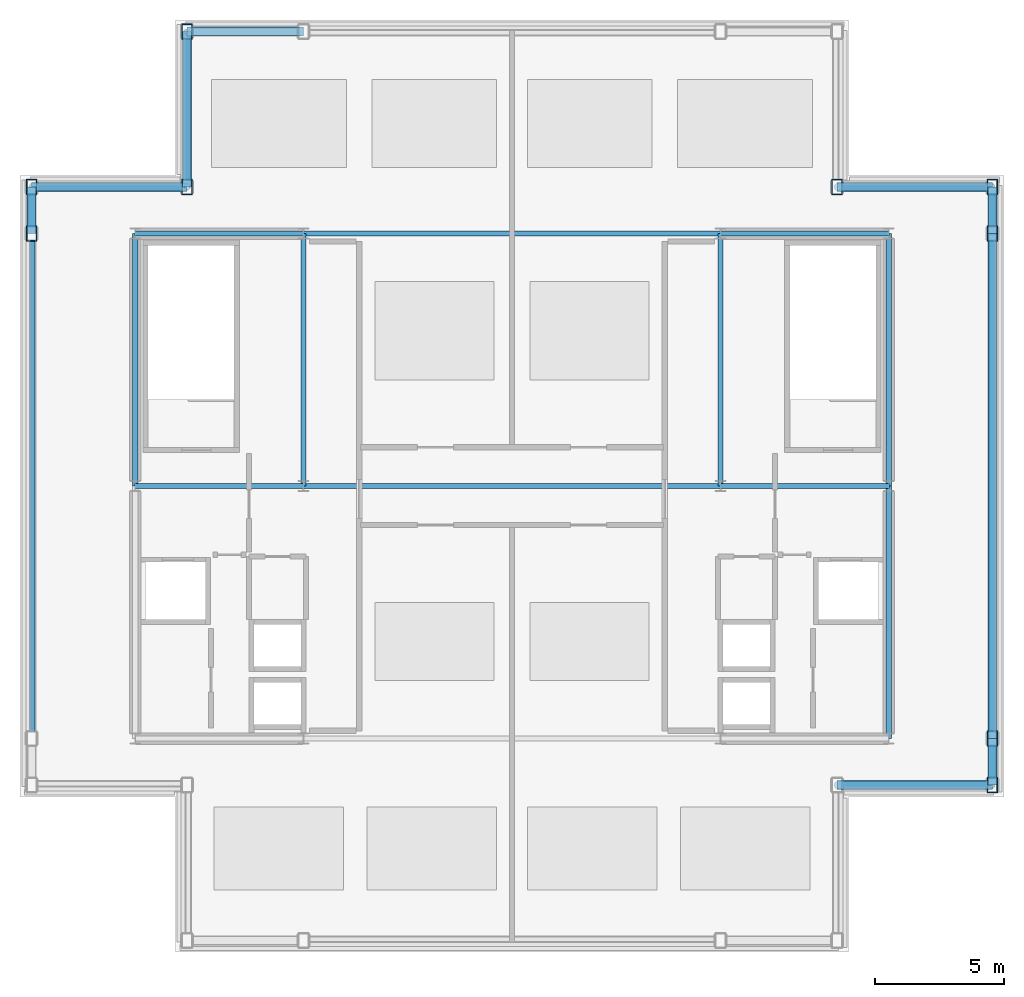
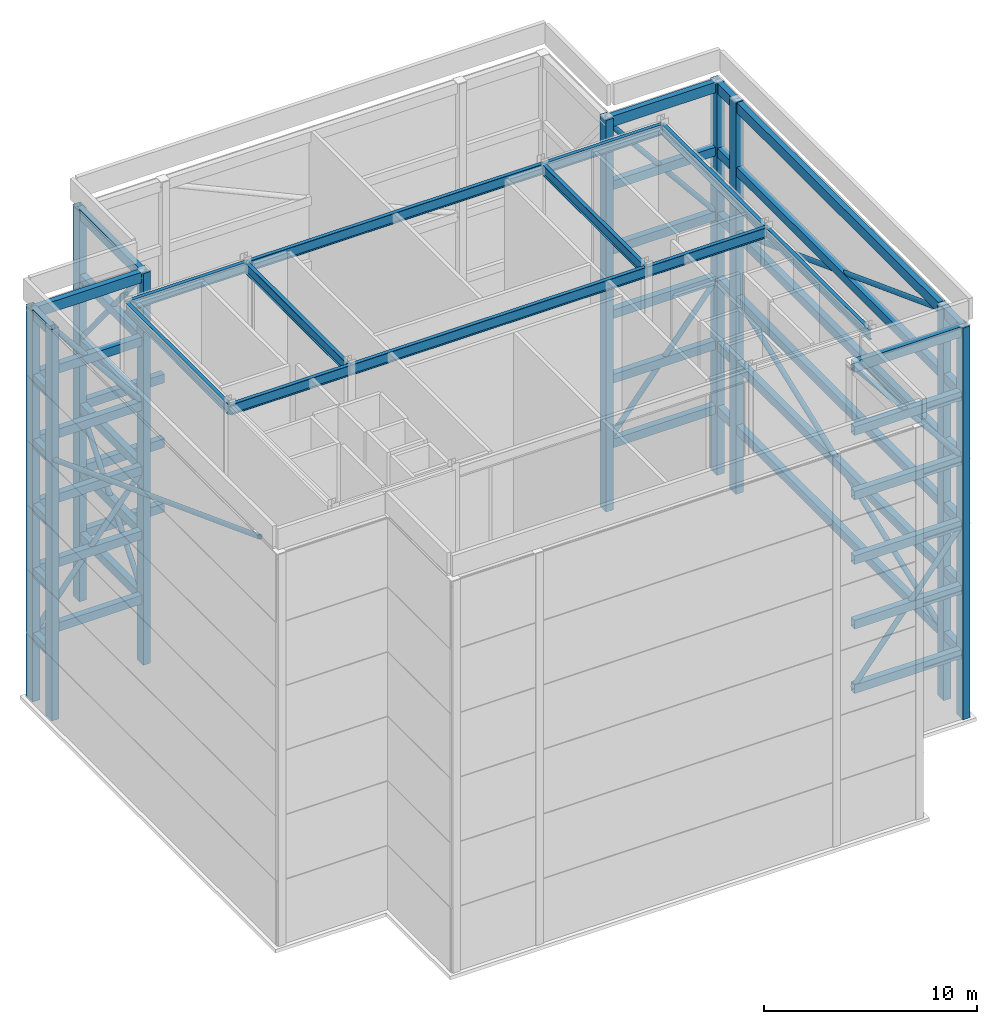
# One storey, part 2 of 8: 62 beams, 20 members.
"""IFC4 building model written with IfcOpenShell, lengths in metres."""

from ifc_helpers import new_model, si_unit, direction, frame, origin, origin_2d, place, context, subcontext, project, spatial, hollow_rectangle, hollow_circle, i_section, extrude, material, material_profile, profile_set, type_object, element, save


model = new_model("IFC4")

# Units and contexts
model_context = context("Model", 3, precision=1e-05, world=origin(), true_north=direction((0.0, 1.0)))
body_context = subcontext(model_context, "Body", "Model", "MODEL_VIEW")
ifc_project = project(units=[si_unit("LENGTHUNIT", "METRE"), si_unit("AREAUNIT", "SQUARE_METRE"), si_unit("VOLUMEUNIT", "CUBIC_METRE"), si_unit("PLANEANGLEUNIT", "RADIAN"), si_unit("MASSUNIT", "GRAM", prefix="KILO")], contexts=[model_context])

# Site, building, storey
site_placement = place(None, origin())
site = spatial("IfcSite", under=ifc_project, at=site_placement, CompositionType="ELEMENT")
building_placement = place(site_placement, origin())
building = spatial("IfcBuilding", under=site, at=building_placement, Name="Brelmoor Portico Tower", CompositionType="ELEMENT")
storey_placement = place(building_placement, frame((0.0, 0.0, 289.199951171875)))
storey = spatial("IfcBuildingStorey", under=building, at=storey_placement, Name="L76", CompositionType="ELEMENT", Elevation=289.199951171875)

# Beams
ifc_material = material(Name="Steel Q355B", Category="steel")
ifc_material_profile_1 = material_profile(ifc_material, i_section(OverallWidth=0.199951171875, OverallDepth=0.60009765625, WebThickness=0.010986328125, FlangeThickness=0.01708984375, at=origin_2d()), Name="HN 600x200x11x17")
ifc_profile_set_1 = profile_set([ifc_material_profile_1], Name="Steel Q355B")
beam_type_1 = type_object("IfcBeamType", Name="BM-PG-600", PredefinedType="BEAM", material=ifc_profile_set_1)
for number, where, z_axis, x_axis, name in (
    (1, (-14.550048828125, 0.0, 22.150146484375), (0.0, 1.0, 0.0), (-1.0, 0.0, 0.0), "L76 Primary Floor Girder PG-02"),
    (2, (-8.050048828125, 0.0, 22.150146484375), (0.0, 1.0, 0.0), (-1.0, 0.0, 0.0), "L76 Primary Floor Girder PG-03"),
    (3, (8.050048828125, 0.0, 22.150146484375), (0.0, 1.0, 0.0), (-1.0, 0.0, 0.0), "L76 Primary Floor Girder PG-04"),
    (4, (14.550048828125, -9.75, 22.150146484375), (0.0, 1.0, 0.0), (-1.0, 0.0, 0.0), "L76 Primary Floor Girder PG-05"),
    (5, (14.550048828125, 0.0, 22.150146484375), (0.0, 1.0, 0.0), (-1.0, 0.0, 0.0), "L76 Primary Floor Girder PG-06"),
):
    element("IfcBeam", number, at=place(storey_placement, frame(where, z_axis=z_axis, x_axis=x_axis)), inside=storey, type_object=beam_type_1, Name=name, PredefinedType="BEAM", context=body_context, shape_type="SweptSolid", body=[
        extrude(i_section(OverallWidth=0.199951171875, OverallDepth=0.60009765625, WebThickness=0.010986328125, FlangeThickness=0.01708984375, at=origin_2d()), origin(), (0.0, 0.0, 1.0), 9.75),
    ])
beam_1_placement = place(storey_placement, frame((-14.550048828125, 0.0, 22.150146484375), z_axis=(1.0, 0.0, 0.0), x_axis=(0.0, 1.0, 0.0)))
element("IfcBeam", 6, at=beam_1_placement, inside=storey, type_object=beam_type_1, Name="L76 Primary Floor Girder PG-10", PredefinedType="BEAM", context=body_context, shape_type="SweptSolid", body=[
    extrude(i_section(OverallWidth=0.199951171875, OverallDepth=0.60009765625, WebThickness=0.010986328125, FlangeThickness=0.01708984375, at=origin_2d()), origin(), (0.0, 0.0, 1.0), 6.5),
])
beam_2_placement = place(storey_placement, frame((-8.050048828125, 0.0, 22.150146484375), z_axis=(1.0, 0.0, 0.0), x_axis=(0.0, 1.0, 0.0)))
element("IfcBeam", 7, at=beam_2_placement, inside=storey, type_object=beam_type_1, Name="L76 Primary Floor Girder PG-11", PredefinedType="BEAM", context=body_context, shape_type="SweptSolid", body=[
    extrude(i_section(OverallWidth=0.199951171875, OverallDepth=0.60009765625, WebThickness=0.010986328125, FlangeThickness=0.01708984375, at=origin_2d()), origin(), (0.0, 0.0, 1.0), 16.10009765625),
])
for number, where, z_axis, x_axis, name in (
    (8, (8.050048828125, 0.0, 22.150146484375), (1.0, 0.0, 0.0), (0.0, 1.0, 0.0), "L76 Primary Floor Girder PG-12"),
    (9, (-14.550048828125, 9.75, 22.150146484375), (1.0, 0.0, 0.0), (0.0, 1.0, 0.0), "L76 Primary Floor Girder PG-13"),
):
    element("IfcBeam", number, at=place(storey_placement, frame(where, z_axis=z_axis, x_axis=x_axis)), inside=storey, type_object=beam_type_1, Name=name, PredefinedType="BEAM", context=body_context, shape_type="SweptSolid", body=[
        extrude(i_section(OverallWidth=0.199951171875, OverallDepth=0.60009765625, WebThickness=0.010986328125, FlangeThickness=0.01708984375, at=origin_2d()), origin(), (0.0, 0.0, 1.0), 6.5),
    ])
beam_3_placement = place(storey_placement, frame((-8.050048828125, 9.75, 22.150146484375), z_axis=(1.0, 0.0, 0.0), x_axis=(0.0, 1.0, 0.0)))
element("IfcBeam", 10, at=beam_3_placement, inside=storey, type_object=beam_type_1, Name="L76 Primary Floor Girder PG-14", PredefinedType="BEAM", context=body_context, shape_type="SweptSolid", body=[
    extrude(i_section(OverallWidth=0.199951171875, OverallDepth=0.60009765625, WebThickness=0.010986328125, FlangeThickness=0.01708984375, at=origin_2d()), origin(), (0.0, 0.0, 1.0), 16.10009765625),
])
beam_4_placement = place(storey_placement, frame((8.050048828125, 9.75, 22.150146484375), z_axis=(1.0, 0.0, 0.0), x_axis=(0.0, 1.0, 0.0)))
element("IfcBeam", 11, at=beam_4_placement, inside=storey, type_object=beam_type_1, Name="L76 Primary Floor Girder PG-15", PredefinedType="BEAM", context=body_context, shape_type="SweptSolid", body=[
    extrude(i_section(OverallWidth=0.199951171875, OverallDepth=0.60009765625, WebThickness=0.010986328125, FlangeThickness=0.01708984375, at=origin_2d()), origin(), (0.0, 0.0, 1.0), 6.5),
])

# Members
ifc_material_profile_2 = material_profile(ifc_material, hollow_circle(Radius=0.136474609375, WallThickness=0.011962890625, at=origin_2d()), Name="CHS 273x12")
ifc_profile_set_2 = profile_set([ifc_material_profile_2], Name="Steel Q355B")
member_type_1 = type_object("IfcMemberType", Name="CROWN FRAME BRACE", PredefinedType="BRACE", material=ifc_profile_set_2)
member_1_placement = place(storey_placement, frame((12.550048828125, -11.550048828125, 3.699951171875), z_axis=(0.629794436495, 0.0, 0.776761847518), x_axis=(0.0, 1.0, 0.0)))
element("IfcMember", 12, at=member_1_placement, inside=storey, type_object=member_type_1, Name="CROWN FRAME Wind Brace 03A", PredefinedType="BRACE", context=body_context, shape_type="SweptSolid", body=[
    extrude(hollow_circle(Radius=0.136474609375, WallThickness=0.011962890625, at=origin_2d()), origin(), (0.0, 0.0, 1.0), 9.52685546875),
])
member_2_placement = place(storey_placement, frame((18.550048828125, -11.550048828125, 14.800048828125), z_axis=(-0.632371447832, 0.0, 0.774665316099), x_axis=(0.0, -1.0, 0.0)))
element("IfcMember", 13, at=member_2_placement, inside=storey, type_object=member_type_1, Name="CROWN FRAME Wind Brace 03B", PredefinedType="BRACE", context=body_context, shape_type="SweptSolid", body=[
    extrude(hollow_circle(Radius=0.136474609375, WallThickness=0.011962890625, at=origin_2d()), origin(), (0.0, 0.0, 1.0), 9.488037109375),
])
member_3_placement = place(storey_placement, frame((-18.550048828125, 11.550048828125, 3.699951171875), z_axis=(0.629794436495, 0.0, 0.776761847518), x_axis=(0.0, 1.0, 0.0)))
element("IfcMember", 14, at=member_3_placement, inside=storey, type_object=member_type_1, Name="CROWN FRAME Wind Brace 04A", PredefinedType="BRACE", context=body_context, shape_type="SweptSolid", body=[
    extrude(hollow_circle(Radius=0.136474609375, WallThickness=0.011962890625, at=origin_2d()), origin(), (0.0, 0.0, 1.0), 9.52685546875),
])
member_4_placement = place(storey_placement, frame((-12.550048828125, 11.550048828125, 14.800048828125), z_axis=(-0.632371447832, 0.0, 0.774665316099), x_axis=(0.0, -1.0, 0.0)))
element("IfcMember", 15, at=member_4_placement, inside=storey, type_object=member_type_1, Name="CROWN FRAME Wind Brace 04B", PredefinedType="BRACE", context=body_context, shape_type="SweptSolid", body=[
    extrude(hollow_circle(Radius=0.136474609375, WallThickness=0.011962890625, at=origin_2d()), origin(), (0.0, 0.0, 1.0), 9.488037109375),
])
member_5_placement = place(storey_placement, frame((12.550048828125, 11.550048828125, 3.699951171875), z_axis=(0.629794436495, 0.0, 0.776761847518), x_axis=(0.0, 1.0, 0.0)))
element("IfcMember", 16, at=member_5_placement, inside=storey, type_object=member_type_1, Name="CROWN FRAME Wind Brace 05A", PredefinedType="BRACE", context=body_context, shape_type="SweptSolid", body=[
    extrude(hollow_circle(Radius=0.136474609375, WallThickness=0.011962890625, at=origin_2d()), origin(), (0.0, 0.0, 1.0), 9.52685546875),
])
member_6_placement = place(storey_placement, frame((18.550048828125, 11.550048828125, 14.800048828125), z_axis=(-0.632371447832, 0.0, 0.774665316099), x_axis=(0.0, -1.0, 0.0)))
element("IfcMember", 17, at=member_6_placement, inside=storey, type_object=member_type_1, Name="CROWN FRAME Wind Brace 05B", PredefinedType="BRACE", context=body_context, shape_type="SweptSolid", body=[
    extrude(hollow_circle(Radius=0.136474609375, WallThickness=0.011962890625, at=origin_2d()), origin(), (0.0, 0.0, 1.0), 9.488037109375),
])
member_7_placement = place(storey_placement, frame((-18.550048828125, 9.75, 14.800048828125), z_axis=(0.0, -0.935734687808, 0.352704683883), x_axis=(1.0, 0.0, 0.0)))
element("IfcMember", 18, at=member_7_placement, inside=storey, type_object=member_type_1, Name="CROWN FRAME Wind Brace 07B", PredefinedType="BRACE", context=body_context, shape_type="SweptSolid", body=[
    extrude(hollow_circle(Radius=0.136474609375, WallThickness=0.011962890625, at=origin_2d()), origin(), (0.0, 0.0, 1.0), 20.83935546875),
])
member_8_placement = place(storey_placement, frame((-12.550048828125, 11.550048828125, 3.699951171875), z_axis=(0.0, 0.629794436495, 0.776761847518), x_axis=(-1.0, 0.0, 0.0)))
element("IfcMember", 19, at=member_8_placement, inside=storey, type_object=member_type_1, Name="CROWN FRAME Wind Brace 09A", PredefinedType="BRACE", context=body_context, shape_type="SweptSolid", body=[
    extrude(hollow_circle(Radius=0.136474609375, WallThickness=0.011962890625, at=origin_2d()), origin(), (0.0, 0.0, 1.0), 9.52685546875),
])
member_9_placement = place(storey_placement, frame((-12.550048828125, 17.550048828125, 14.800048828125), z_axis=(0.0, -0.632371447832, 0.774665316099), x_axis=(1.0, 0.0, 0.0)))
element("IfcMember", 20, at=member_9_placement, inside=storey, type_object=member_type_1, Name="CROWN FRAME Wind Brace 09B", PredefinedType="BRACE", context=body_context, shape_type="SweptSolid", body=[
    extrude(hollow_circle(Radius=0.136474609375, WallThickness=0.011962890625, at=origin_2d()), origin(), (0.0, 0.0, 1.0), 9.488037109375),
])
member_10_placement = place(storey_placement, frame((18.550048828125, -9.75, 3.699951171875), z_axis=(0.0, 0.934940361729, 0.354804904151), x_axis=(-1.0, 0.0, 0.0)))
element("IfcMember", 21, at=member_10_placement, inside=storey, type_object=member_type_1, Name="CROWN FRAME Wind Brace 12A", PredefinedType="BRACE", context=body_context, shape_type="SweptSolid", body=[
    extrude(hollow_circle(Radius=0.136474609375, WallThickness=0.011962890625, at=origin_2d()), origin(), (0.0, 0.0, 1.0), 20.85693359375),
])
member_11_placement = place(storey_placement, frame((18.550048828125, 9.75, 14.800048828125), z_axis=(0.0, -0.935734687808, 0.352704683883), x_axis=(1.0, 0.0, 0.0)))
element("IfcMember", 22, at=member_11_placement, inside=storey, type_object=member_type_1, Name="CROWN FRAME Wind Brace 12B", PredefinedType="BRACE", context=body_context, shape_type="SweptSolid", body=[
    extrude(hollow_circle(Radius=0.136474609375, WallThickness=0.011962890625, at=origin_2d()), origin(), (0.0, 0.0, 1.0), 20.83935546875),
])
ifc_material_profile_3 = material_profile(ifc_material, hollow_rectangle(XDim=0.39990234375, YDim=0.60009765625, WallThickness=0.02392578125, at=origin_2d()), Name="RHS 400x600x24")
ifc_profile_set_3 = profile_set([ifc_material_profile_3], Name="Steel Q355B")
member_type_2 = type_object("IfcMemberType", Name="CROWN FRAME POST", PredefinedType="POST", material=ifc_profile_set_3)
for number, where, z_axis, x_axis, name in (
    (23, (-12.550048828125, 17.550048828125, 0.0), (0.0, 0.0, 1.0), (1.0, 0.0, 0.0), "CROWN FRAME Vertical Post PN01"),
    (24, (-18.550048828125, 9.75, 0.0), (0.0, 0.0, 1.0), (1.0, 0.0, 0.0), "CROWN FRAME Vertical Post PW03"),
    (25, (-18.550048828125, 11.550048828125, 0.0), (0.0, 0.0, 1.0), (1.0, 0.0, 0.0), "CROWN FRAME Vertical Post PW04"),
    (26, (18.550048828125, -11.550048828125, 0.0), (0.0, 0.0, 1.0), (1.0, 0.0, 0.0), "CROWN FRAME Vertical Post PE01"),
    (27, (18.550048828125, -9.75, 0.0), (0.0, 0.0, 1.0), (1.0, 0.0, 0.0), "CROWN FRAME Vertical Post PE02"),
    (28, (18.550048828125, 9.75, 0.0), (0.0, 0.0, 1.0), (1.0, 0.0, 0.0), "CROWN FRAME Vertical Post PE03"),
    (29, (18.550048828125, 11.550048828125, 0.0), (0.0, 0.0, 1.0), (1.0, 0.0, 0.0), "CROWN FRAME Vertical Post PE04"),
    (30, (-12.550048828125, 11.550048828125, 0.0), (0.0, 0.0, 1.0), (1.0, 0.0, 0.0), "CROWN FRAME Vertical Post PC-NW"),
    (31, (12.550048828125, 11.550048828125, 0.0), (0.0, 0.0, 1.0), (1.0, 0.0, 0.0), "CROWN FRAME Vertical Post PC-NE"),
):
    element("IfcMember", number, at=place(storey_placement, frame(where, z_axis=z_axis, x_axis=x_axis)), inside=storey, type_object=member_type_2, Name=name, PredefinedType="POST", context=body_context, shape_type="SweptSolid", body=[
        extrude(hollow_rectangle(XDim=0.39990234375, YDim=0.60009765625, WallThickness=0.02392578125, at=origin_2d()), origin(), (0.0, 0.0, 1.0), 22.449951171875),
    ])

# Beams
ifc_material_profile_4 = material_profile(ifc_material, hollow_rectangle(XDim=0.35009765625, YDim=0.5, WallThickness=0.02001953125, at=origin_2d()), Name="RHS 350x500x20")
ifc_profile_set_4 = profile_set([ifc_material_profile_4], Name="Steel Q355B")
beam_type_2 = type_object("IfcBeamType", Name="CROWN FRAME RING", PredefinedType="SPANDREL", material=ifc_profile_set_4)
for number, where, z_axis, x_axis, name in (
    (32, (12.550048828125, -11.550048828125, 3.699951171875), (1.0, 0.0, 0.0), (0.0, 1.0, 0.0), "CROWN FRAME Ring Beam Tier 1-05"),
    (33, (-18.550048828125, 11.550048828125, 3.699951171875), (1.0, 0.0, 0.0), (0.0, 1.0, 0.0), "CROWN FRAME Ring Beam Tier 1-06"),
    (34, (12.550048828125, 11.550048828125, 3.699951171875), (1.0, 0.0, 0.0), (0.0, 1.0, 0.0), "CROWN FRAME Ring Beam Tier 1-07"),
):
    element("IfcBeam", number, at=place(storey_placement, frame(where, z_axis=z_axis, x_axis=x_axis)), inside=storey, type_object=beam_type_2, Name=name, PredefinedType="SPANDREL", context=body_context, shape_type="SweptSolid", body=[
        extrude(hollow_rectangle(XDim=0.35009765625, YDim=0.5, WallThickness=0.02001953125, at=origin_2d()), origin(), (0.0, 0.0, 1.0), 6.0),
    ])
beam_5_placement = place(storey_placement, frame((-12.550048828125, 17.550048828125, 3.699951171875), z_axis=(1.0, 0.0, 0.0), x_axis=(0.0, 1.0, 0.0)))
element("IfcBeam", 35, at=beam_5_placement, inside=storey, type_object=beam_type_2, Name="CROWN FRAME Ring Beam Tier 1-08", PredefinedType="SPANDREL", context=body_context, shape_type="SweptSolid", body=[
    extrude(hollow_rectangle(XDim=0.35009765625, YDim=0.5, WallThickness=0.02001953125, at=origin_2d()), origin(), (0.0, 0.0, 1.0), 4.5),
])
beam_6_placement = place(storey_placement, frame((-18.550048828125, 9.75, 3.699951171875), z_axis=(0.0, 1.0, 0.0), x_axis=(-1.0, 0.0, 0.0)))
element("IfcBeam", 36, at=beam_6_placement, inside=storey, type_object=beam_type_2, Name="CROWN FRAME Ring Beam Tier 1-13", PredefinedType="SPANDREL", context=body_context, shape_type="SweptSolid", body=[
    extrude(hollow_rectangle(XDim=0.35009765625, YDim=0.5, WallThickness=0.02001953125, at=origin_2d()), origin(), (0.0, 0.0, 1.0), 1.800048828125),
])
beam_7_placement = place(storey_placement, frame((-12.550048828125, 11.550048828125, 3.699951171875), z_axis=(0.0, 1.0, 0.0), x_axis=(-1.0, 0.0, 0.0)))
element("IfcBeam", 37, at=beam_7_placement, inside=storey, type_object=beam_type_2, Name="CROWN FRAME Ring Beam Tier 1-15", PredefinedType="SPANDREL", context=body_context, shape_type="SweptSolid", body=[
    extrude(hollow_rectangle(XDim=0.35009765625, YDim=0.5, WallThickness=0.02001953125, at=origin_2d()), origin(), (0.0, 0.0, 1.0), 6.0),
])
beam_8_placement = place(storey_placement, frame((18.550048828125, -11.550048828125, 3.699951171875), z_axis=(0.0, 1.0, 0.0), x_axis=(-1.0, 0.0, 0.0)))
element("IfcBeam", 38, at=beam_8_placement, inside=storey, type_object=beam_type_2, Name="CROWN FRAME Ring Beam Tier 1-18", PredefinedType="SPANDREL", context=body_context, shape_type="SweptSolid", body=[
    extrude(hollow_rectangle(XDim=0.35009765625, YDim=0.5, WallThickness=0.02001953125, at=origin_2d()), origin(), (0.0, 0.0, 1.0), 1.800048828125),
])
beam_9_placement = place(storey_placement, frame((18.550048828125, -9.75, 3.699951171875), z_axis=(0.0, 1.0, 0.0), x_axis=(-1.0, 0.0, 0.0)))
element("IfcBeam", 39, at=beam_9_placement, inside=storey, type_object=beam_type_2, Name="CROWN FRAME Ring Beam Tier 1-19", PredefinedType="SPANDREL", context=body_context, shape_type="SweptSolid", body=[
    extrude(hollow_rectangle(XDim=0.35009765625, YDim=0.5, WallThickness=0.02001953125, at=origin_2d()), origin(), (0.0, 0.0, 1.0), 19.5),
])
beam_10_placement = place(storey_placement, frame((18.550048828125, 9.75, 3.699951171875), z_axis=(0.0, 1.0, 0.0), x_axis=(-1.0, 0.0, 0.0)))
element("IfcBeam", 40, at=beam_10_placement, inside=storey, type_object=beam_type_2, Name="CROWN FRAME Ring Beam Tier 1-20", PredefinedType="SPANDREL", context=body_context, shape_type="SweptSolid", body=[
    extrude(hollow_rectangle(XDim=0.35009765625, YDim=0.5, WallThickness=0.02001953125, at=origin_2d()), origin(), (0.0, 0.0, 1.0), 1.800048828125),
])
for number, where, z_axis, x_axis, name in (
    (41, (12.550048828125, -11.550048828125, 7.400146484375), (1.0, 0.0, 0.0), (0.0, 1.0, 0.0), "CROWN FRAME Ring Beam Tier 2-05"),
    (42, (-18.550048828125, 11.550048828125, 7.400146484375), (1.0, 0.0, 0.0), (0.0, 1.0, 0.0), "CROWN FRAME Ring Beam Tier 2-06"),
    (43, (12.550048828125, 11.550048828125, 7.400146484375), (1.0, 0.0, 0.0), (0.0, 1.0, 0.0), "CROWN FRAME Ring Beam Tier 2-07"),
):
    element("IfcBeam", number, at=place(storey_placement, frame(where, z_axis=z_axis, x_axis=x_axis)), inside=storey, type_object=beam_type_2, Name=name, PredefinedType="SPANDREL", context=body_context, shape_type="SweptSolid", body=[
        extrude(hollow_rectangle(XDim=0.35009765625, YDim=0.5, WallThickness=0.02001953125, at=origin_2d()), origin(), (0.0, 0.0, 1.0), 6.0),
    ])
beam_11_placement = place(storey_placement, frame((-12.550048828125, 17.550048828125, 7.400146484375), z_axis=(1.0, 0.0, 0.0), x_axis=(0.0, 1.0, 0.0)))
element("IfcBeam", 44, at=beam_11_placement, inside=storey, type_object=beam_type_2, Name="CROWN FRAME Ring Beam Tier 2-08", PredefinedType="SPANDREL", context=body_context, shape_type="SweptSolid", body=[
    extrude(hollow_rectangle(XDim=0.35009765625, YDim=0.5, WallThickness=0.02001953125, at=origin_2d()), origin(), (0.0, 0.0, 1.0), 4.5),
])
beam_12_placement = place(storey_placement, frame((-18.550048828125, 9.75, 7.400146484375), z_axis=(0.0, 1.0, 0.0), x_axis=(-1.0, 0.0, 0.0)))
element("IfcBeam", 45, at=beam_12_placement, inside=storey, type_object=beam_type_2, Name="CROWN FRAME Ring Beam Tier 2-13", PredefinedType="SPANDREL", context=body_context, shape_type="SweptSolid", body=[
    extrude(hollow_rectangle(XDim=0.35009765625, YDim=0.5, WallThickness=0.02001953125, at=origin_2d()), origin(), (0.0, 0.0, 1.0), 1.800048828125),
])
beam_13_placement = place(storey_placement, frame((-12.550048828125, 11.550048828125, 7.400146484375), z_axis=(0.0, 1.0, 0.0), x_axis=(-1.0, 0.0, 0.0)))
element("IfcBeam", 46, at=beam_13_placement, inside=storey, type_object=beam_type_2, Name="CROWN FRAME Ring Beam Tier 2-15", PredefinedType="SPANDREL", context=body_context, shape_type="SweptSolid", body=[
    extrude(hollow_rectangle(XDim=0.35009765625, YDim=0.5, WallThickness=0.02001953125, at=origin_2d()), origin(), (0.0, 0.0, 1.0), 6.0),
])
beam_14_placement = place(storey_placement, frame((18.550048828125, -11.550048828125, 7.400146484375), z_axis=(0.0, 1.0, 0.0), x_axis=(-1.0, 0.0, 0.0)))
element("IfcBeam", 47, at=beam_14_placement, inside=storey, type_object=beam_type_2, Name="CROWN FRAME Ring Beam Tier 2-18", PredefinedType="SPANDREL", context=body_context, shape_type="SweptSolid", body=[
    extrude(hollow_rectangle(XDim=0.35009765625, YDim=0.5, WallThickness=0.02001953125, at=origin_2d()), origin(), (0.0, 0.0, 1.0), 1.800048828125),
])
beam_15_placement = place(storey_placement, frame((18.550048828125, -9.75, 7.400146484375), z_axis=(0.0, 1.0, 0.0), x_axis=(-1.0, 0.0, 0.0)))
element("IfcBeam", 48, at=beam_15_placement, inside=storey, type_object=beam_type_2, Name="CROWN FRAME Ring Beam Tier 2-19", PredefinedType="SPANDREL", context=body_context, shape_type="SweptSolid", body=[
    extrude(hollow_rectangle(XDim=0.35009765625, YDim=0.5, WallThickness=0.02001953125, at=origin_2d()), origin(), (0.0, 0.0, 1.0), 19.5),
])
beam_16_placement = place(storey_placement, frame((18.550048828125, 9.75, 7.400146484375), z_axis=(0.0, 1.0, 0.0), x_axis=(-1.0, 0.0, 0.0)))
element("IfcBeam", 49, at=beam_16_placement, inside=storey, type_object=beam_type_2, Name="CROWN FRAME Ring Beam Tier 2-20", PredefinedType="SPANDREL", context=body_context, shape_type="SweptSolid", body=[
    extrude(hollow_rectangle(XDim=0.35009765625, YDim=0.5, WallThickness=0.02001953125, at=origin_2d()), origin(), (0.0, 0.0, 1.0), 1.800048828125),
])
for number, where, z_axis, x_axis, name in (
    (50, (12.550048828125, -11.550048828125, 11.10009765625), (1.0, 0.0, 0.0), (0.0, 1.0, 0.0), "CROWN FRAME Ring Beam Tier 3-05"),
    (51, (-18.550048828125, 11.550048828125, 11.10009765625), (1.0, 0.0, 0.0), (0.0, 1.0, 0.0), "CROWN FRAME Ring Beam Tier 3-06"),
    (52, (12.550048828125, 11.550048828125, 11.10009765625), (1.0, 0.0, 0.0), (0.0, 1.0, 0.0), "CROWN FRAME Ring Beam Tier 3-07"),
):
    element("IfcBeam", number, at=place(storey_placement, frame(where, z_axis=z_axis, x_axis=x_axis)), inside=storey, type_object=beam_type_2, Name=name, PredefinedType="SPANDREL", context=body_context, shape_type="SweptSolid", body=[
        extrude(hollow_rectangle(XDim=0.35009765625, YDim=0.5, WallThickness=0.02001953125, at=origin_2d()), origin(), (0.0, 0.0, 1.0), 6.0),
    ])
beam_17_placement = place(storey_placement, frame((-12.550048828125, 17.550048828125, 11.10009765625), z_axis=(1.0, 0.0, 0.0), x_axis=(0.0, 1.0, 0.0)))
element("IfcBeam", 53, at=beam_17_placement, inside=storey, type_object=beam_type_2, Name="CROWN FRAME Ring Beam Tier 3-08", PredefinedType="SPANDREL", context=body_context, shape_type="SweptSolid", body=[
    extrude(hollow_rectangle(XDim=0.35009765625, YDim=0.5, WallThickness=0.02001953125, at=origin_2d()), origin(), (0.0, 0.0, 1.0), 4.5),
])
beam_18_placement = place(storey_placement, frame((-18.550048828125, 9.75, 11.10009765625), z_axis=(0.0, 1.0, 0.0), x_axis=(-1.0, 0.0, 0.0)))
element("IfcBeam", 54, at=beam_18_placement, inside=storey, type_object=beam_type_2, Name="CROWN FRAME Ring Beam Tier 3-13", PredefinedType="SPANDREL", context=body_context, shape_type="SweptSolid", body=[
    extrude(hollow_rectangle(XDim=0.35009765625, YDim=0.5, WallThickness=0.02001953125, at=origin_2d()), origin(), (0.0, 0.0, 1.0), 1.800048828125),
])
beam_19_placement = place(storey_placement, frame((-12.550048828125, 11.550048828125, 11.10009765625), z_axis=(0.0, 1.0, 0.0), x_axis=(-1.0, 0.0, 0.0)))
element("IfcBeam", 55, at=beam_19_placement, inside=storey, type_object=beam_type_2, Name="CROWN FRAME Ring Beam Tier 3-15", PredefinedType="SPANDREL", context=body_context, shape_type="SweptSolid", body=[
    extrude(hollow_rectangle(XDim=0.35009765625, YDim=0.5, WallThickness=0.02001953125, at=origin_2d()), origin(), (0.0, 0.0, 1.0), 6.0),
])
beam_20_placement = place(storey_placement, frame((18.550048828125, -11.550048828125, 11.10009765625), z_axis=(0.0, 1.0, 0.0), x_axis=(-1.0, 0.0, 0.0)))
element("IfcBeam", 56, at=beam_20_placement, inside=storey, type_object=beam_type_2, Name="CROWN FRAME Ring Beam Tier 3-18", PredefinedType="SPANDREL", context=body_context, shape_type="SweptSolid", body=[
    extrude(hollow_rectangle(XDim=0.35009765625, YDim=0.5, WallThickness=0.02001953125, at=origin_2d()), origin(), (0.0, 0.0, 1.0), 1.800048828125),
])
beam_21_placement = place(storey_placement, frame((18.550048828125, -9.75, 11.10009765625), z_axis=(0.0, 1.0, 0.0), x_axis=(-1.0, 0.0, 0.0)))
element("IfcBeam", 57, at=beam_21_placement, inside=storey, type_object=beam_type_2, Name="CROWN FRAME Ring Beam Tier 3-19", PredefinedType="SPANDREL", context=body_context, shape_type="SweptSolid", body=[
    extrude(hollow_rectangle(XDim=0.35009765625, YDim=0.5, WallThickness=0.02001953125, at=origin_2d()), origin(), (0.0, 0.0, 1.0), 19.5),
])
beam_22_placement = place(storey_placement, frame((18.550048828125, 9.75, 11.10009765625), z_axis=(0.0, 1.0, 0.0), x_axis=(-1.0, 0.0, 0.0)))
element("IfcBeam", 58, at=beam_22_placement, inside=storey, type_object=beam_type_2, Name="CROWN FRAME Ring Beam Tier 3-20", PredefinedType="SPANDREL", context=body_context, shape_type="SweptSolid", body=[
    extrude(hollow_rectangle(XDim=0.35009765625, YDim=0.5, WallThickness=0.02001953125, at=origin_2d()), origin(), (0.0, 0.0, 1.0), 1.800048828125),
])
for number, where, z_axis, x_axis, name in (
    (59, (12.550048828125, -11.550048828125, 14.800048828125), (1.0, 0.0, 0.0), (0.0, 1.0, 0.0), "CROWN FRAME Ring Beam Tier 4-05"),
    (60, (-18.550048828125, 11.550048828125, 14.800048828125), (1.0, 0.0, 0.0), (0.0, 1.0, 0.0), "CROWN FRAME Ring Beam Tier 4-06"),
    (61, (12.550048828125, 11.550048828125, 14.800048828125), (1.0, 0.0, 0.0), (0.0, 1.0, 0.0), "CROWN FRAME Ring Beam Tier 4-07"),
):
    element("IfcBeam", number, at=place(storey_placement, frame(where, z_axis=z_axis, x_axis=x_axis)), inside=storey, type_object=beam_type_2, Name=name, PredefinedType="SPANDREL", context=body_context, shape_type="SweptSolid", body=[
        extrude(hollow_rectangle(XDim=0.35009765625, YDim=0.5, WallThickness=0.02001953125, at=origin_2d()), origin(), (0.0, 0.0, 1.0), 6.0),
    ])
beam_23_placement = place(storey_placement, frame((-18.550048828125, 9.75, 14.800048828125), z_axis=(0.0, 1.0, 0.0), x_axis=(-1.0, 0.0, 0.0)))
element("IfcBeam", 62, at=beam_23_placement, inside=storey, type_object=beam_type_2, Name="CROWN FRAME Ring Beam Tier 4-13", PredefinedType="SPANDREL", context=body_context, shape_type="SweptSolid", body=[
    extrude(hollow_rectangle(XDim=0.35009765625, YDim=0.5, WallThickness=0.02001953125, at=origin_2d()), origin(), (0.0, 0.0, 1.0), 1.800048828125),
])
beam_24_placement = place(storey_placement, frame((-12.550048828125, 11.550048828125, 14.800048828125), z_axis=(0.0, 1.0, 0.0), x_axis=(-1.0, 0.0, 0.0)))
element("IfcBeam", 63, at=beam_24_placement, inside=storey, type_object=beam_type_2, Name="CROWN FRAME Ring Beam Tier 4-15", PredefinedType="SPANDREL", context=body_context, shape_type="SweptSolid", body=[
    extrude(hollow_rectangle(XDim=0.35009765625, YDim=0.5, WallThickness=0.02001953125, at=origin_2d()), origin(), (0.0, 0.0, 1.0), 6.0),
])
beam_25_placement = place(storey_placement, frame((18.550048828125, -11.550048828125, 14.800048828125), z_axis=(0.0, 1.0, 0.0), x_axis=(-1.0, 0.0, 0.0)))
element("IfcBeam", 64, at=beam_25_placement, inside=storey, type_object=beam_type_2, Name="CROWN FRAME Ring Beam Tier 4-18", PredefinedType="SPANDREL", context=body_context, shape_type="SweptSolid", body=[
    extrude(hollow_rectangle(XDim=0.35009765625, YDim=0.5, WallThickness=0.02001953125, at=origin_2d()), origin(), (0.0, 0.0, 1.0), 1.800048828125),
])
beam_26_placement = place(storey_placement, frame((18.550048828125, -9.75, 14.800048828125), z_axis=(0.0, 1.0, 0.0), x_axis=(-1.0, 0.0, 0.0)))
element("IfcBeam", 65, at=beam_26_placement, inside=storey, type_object=beam_type_2, Name="CROWN FRAME Ring Beam Tier 4-19", PredefinedType="SPANDREL", context=body_context, shape_type="SweptSolid", body=[
    extrude(hollow_rectangle(XDim=0.35009765625, YDim=0.5, WallThickness=0.02001953125, at=origin_2d()), origin(), (0.0, 0.0, 1.0), 19.5),
])
beam_27_placement = place(storey_placement, frame((18.550048828125, 9.75, 14.800048828125), z_axis=(0.0, 1.0, 0.0), x_axis=(-1.0, 0.0, 0.0)))
element("IfcBeam", 66, at=beam_27_placement, inside=storey, type_object=beam_type_2, Name="CROWN FRAME Ring Beam Tier 4-20", PredefinedType="SPANDREL", context=body_context, shape_type="SweptSolid", body=[
    extrude(hollow_rectangle(XDim=0.35009765625, YDim=0.5, WallThickness=0.02001953125, at=origin_2d()), origin(), (0.0, 0.0, 1.0), 1.800048828125),
])
for number, where, z_axis, x_axis, name in (
    (67, (12.550048828125, -11.550048828125, 18.5), (1.0, 0.0, 0.0), (0.0, 1.0, 0.0), "CROWN FRAME Ring Beam Tier 5-05"),
    (68, (-18.550048828125, 11.550048828125, 18.5), (1.0, 0.0, 0.0), (0.0, 1.0, 0.0), "CROWN FRAME Ring Beam Tier 5-06"),
    (69, (12.550048828125, 11.550048828125, 18.5), (1.0, 0.0, 0.0), (0.0, 1.0, 0.0), "CROWN FRAME Ring Beam Tier 5-07"),
):
    element("IfcBeam", number, at=place(storey_placement, frame(where, z_axis=z_axis, x_axis=x_axis)), inside=storey, type_object=beam_type_2, Name=name, PredefinedType="SPANDREL", context=body_context, shape_type="SweptSolid", body=[
        extrude(hollow_rectangle(XDim=0.35009765625, YDim=0.5, WallThickness=0.02001953125, at=origin_2d()), origin(), (0.0, 0.0, 1.0), 6.0),
    ])
beam_28_placement = place(storey_placement, frame((-18.550048828125, 9.75, 18.5), z_axis=(0.0, 1.0, 0.0), x_axis=(-1.0, 0.0, 0.0)))
element("IfcBeam", 70, at=beam_28_placement, inside=storey, type_object=beam_type_2, Name="CROWN FRAME Ring Beam Tier 5-13", PredefinedType="SPANDREL", context=body_context, shape_type="SweptSolid", body=[
    extrude(hollow_rectangle(XDim=0.35009765625, YDim=0.5, WallThickness=0.02001953125, at=origin_2d()), origin(), (0.0, 0.0, 1.0), 1.800048828125),
])
beam_29_placement = place(storey_placement, frame((-12.550048828125, 11.550048828125, 18.5), z_axis=(0.0, 1.0, 0.0), x_axis=(-1.0, 0.0, 0.0)))
element("IfcBeam", 71, at=beam_29_placement, inside=storey, type_object=beam_type_2, Name="CROWN FRAME Ring Beam Tier 5-15", PredefinedType="SPANDREL", context=body_context, shape_type="SweptSolid", body=[
    extrude(hollow_rectangle(XDim=0.35009765625, YDim=0.5, WallThickness=0.02001953125, at=origin_2d()), origin(), (0.0, 0.0, 1.0), 6.0),
])
beam_30_placement = place(storey_placement, frame((18.550048828125, -11.550048828125, 18.5), z_axis=(0.0, 1.0, 0.0), x_axis=(-1.0, 0.0, 0.0)))
element("IfcBeam", 72, at=beam_30_placement, inside=storey, type_object=beam_type_2, Name="CROWN FRAME Ring Beam Tier 5-18", PredefinedType="SPANDREL", context=body_context, shape_type="SweptSolid", body=[
    extrude(hollow_rectangle(XDim=0.35009765625, YDim=0.5, WallThickness=0.02001953125, at=origin_2d()), origin(), (0.0, 0.0, 1.0), 1.800048828125),
])
beam_31_placement = place(storey_placement, frame((18.550048828125, -9.75, 18.5), z_axis=(0.0, 1.0, 0.0), x_axis=(-1.0, 0.0, 0.0)))
element("IfcBeam", 73, at=beam_31_placement, inside=storey, type_object=beam_type_2, Name="CROWN FRAME Ring Beam Tier 5-19", PredefinedType="SPANDREL", context=body_context, shape_type="SweptSolid", body=[
    extrude(hollow_rectangle(XDim=0.35009765625, YDim=0.5, WallThickness=0.02001953125, at=origin_2d()), origin(), (0.0, 0.0, 1.0), 19.5),
])
beam_32_placement = place(storey_placement, frame((18.550048828125, 9.75, 18.5), z_axis=(0.0, 1.0, 0.0), x_axis=(-1.0, 0.0, 0.0)))
element("IfcBeam", 74, at=beam_32_placement, inside=storey, type_object=beam_type_2, Name="CROWN FRAME Ring Beam Tier 5-20", PredefinedType="SPANDREL", context=body_context, shape_type="SweptSolid", body=[
    extrude(hollow_rectangle(XDim=0.35009765625, YDim=0.5, WallThickness=0.02001953125, at=origin_2d()), origin(), (0.0, 0.0, 1.0), 1.800048828125),
])
ifc_material_profile_5 = material_profile(ifc_material, hollow_rectangle(XDim=0.300048828125, YDim=0.60009765625, WallThickness=0.02001953125, at=origin_2d()), Name="RHS 300x600x20")
ifc_profile_set_5 = profile_set([ifc_material_profile_5], Name="Steel Q355B")
beam_type_3 = type_object("IfcBeamType", Name="CROWN FRAME TIE", PredefinedType="BEAM", material=ifc_profile_set_5)
for number, where, z_axis, x_axis, name in (
    (75, (12.550048828125, -11.550048828125, 22.150146484375), (1.0, 0.0, 0.0), (0.0, 1.0, 0.0), "CROWN FRAME Ring Beam Tier 6-05"),
    (76, (-18.550048828125, 11.550048828125, 22.150146484375), (1.0, 0.0, 0.0), (0.0, 1.0, 0.0), "CROWN FRAME Ring Beam Tier 6-06"),
    (77, (12.550048828125, 11.550048828125, 22.150146484375), (1.0, 0.0, 0.0), (0.0, 1.0, 0.0), "CROWN FRAME Ring Beam Tier 6-07"),
):
    element("IfcBeam", number, at=place(storey_placement, frame(where, z_axis=z_axis, x_axis=x_axis)), inside=storey, type_object=beam_type_3, Name=name, PredefinedType="BEAM", context=body_context, shape_type="SweptSolid", body=[
        extrude(hollow_rectangle(XDim=0.300048828125, YDim=0.60009765625, WallThickness=0.02001953125, at=origin_2d()), origin(), (0.0, 0.0, 1.0), 6.0),
    ])
beam_33_placement = place(storey_placement, frame((-18.550048828125, 9.75, 22.150146484375), z_axis=(0.0, 1.0, 0.0), x_axis=(-1.0, 0.0, 0.0)))
element("IfcBeam", 78, at=beam_33_placement, inside=storey, type_object=beam_type_3, Name="CROWN FRAME Ring Beam Tier 6-13", PredefinedType="BEAM", context=body_context, shape_type="SweptSolid", body=[
    extrude(hollow_rectangle(XDim=0.300048828125, YDim=0.60009765625, WallThickness=0.02001953125, at=origin_2d()), origin(), (0.0, 0.0, 1.0), 1.800048828125),
])
beam_34_placement = place(storey_placement, frame((-12.550048828125, 11.550048828125, 22.150146484375), z_axis=(0.0, 1.0, 0.0), x_axis=(-1.0, 0.0, 0.0)))
element("IfcBeam", 79, at=beam_34_placement, inside=storey, type_object=beam_type_3, Name="CROWN FRAME Ring Beam Tier 6-15", PredefinedType="BEAM", context=body_context, shape_type="SweptSolid", body=[
    extrude(hollow_rectangle(XDim=0.300048828125, YDim=0.60009765625, WallThickness=0.02001953125, at=origin_2d()), origin(), (0.0, 0.0, 1.0), 6.0),
])
beam_35_placement = place(storey_placement, frame((18.550048828125, -11.550048828125, 22.150146484375), z_axis=(0.0, 1.0, 0.0), x_axis=(-1.0, 0.0, 0.0)))
element("IfcBeam", 80, at=beam_35_placement, inside=storey, type_object=beam_type_3, Name="CROWN FRAME Ring Beam Tier 6-18", PredefinedType="BEAM", context=body_context, shape_type="SweptSolid", body=[
    extrude(hollow_rectangle(XDim=0.300048828125, YDim=0.60009765625, WallThickness=0.02001953125, at=origin_2d()), origin(), (0.0, 0.0, 1.0), 1.800048828125),
])
beam_36_placement = place(storey_placement, frame((18.550048828125, -9.75, 22.150146484375), z_axis=(0.0, 1.0, 0.0), x_axis=(-1.0, 0.0, 0.0)))
element("IfcBeam", 81, at=beam_36_placement, inside=storey, type_object=beam_type_3, Name="CROWN FRAME Ring Beam Tier 6-19", PredefinedType="BEAM", context=body_context, shape_type="SweptSolid", body=[
    extrude(hollow_rectangle(XDim=0.300048828125, YDim=0.60009765625, WallThickness=0.02001953125, at=origin_2d()), origin(), (0.0, 0.0, 1.0), 19.5),
])
beam_37_placement = place(storey_placement, frame((18.550048828125, 9.75, 22.150146484375), z_axis=(0.0, 1.0, 0.0), x_axis=(-1.0, 0.0, 0.0)))
element("IfcBeam", 82, at=beam_37_placement, inside=storey, type_object=beam_type_3, Name="CROWN FRAME Ring Beam Tier 6-20", PredefinedType="BEAM", context=body_context, shape_type="SweptSolid", body=[
    extrude(hollow_rectangle(XDim=0.300048828125, YDim=0.60009765625, WallThickness=0.02001953125, at=origin_2d()), origin(), (0.0, 0.0, 1.0), 1.800048828125),
])

save(model, "model.ifc")
